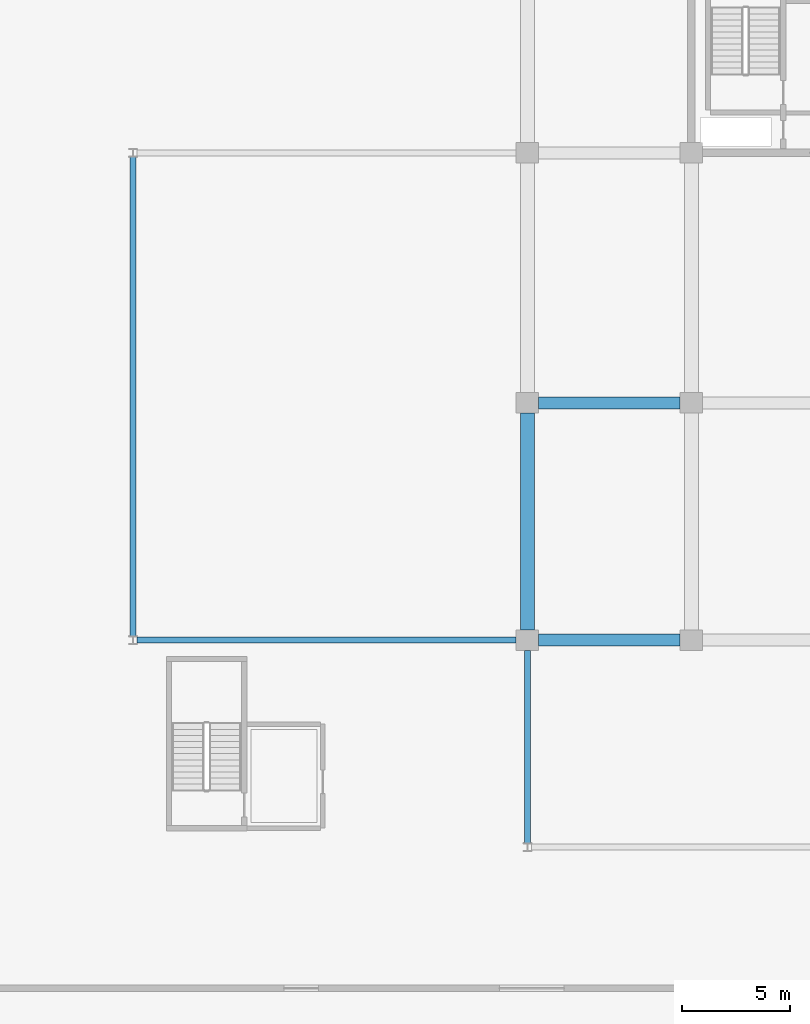
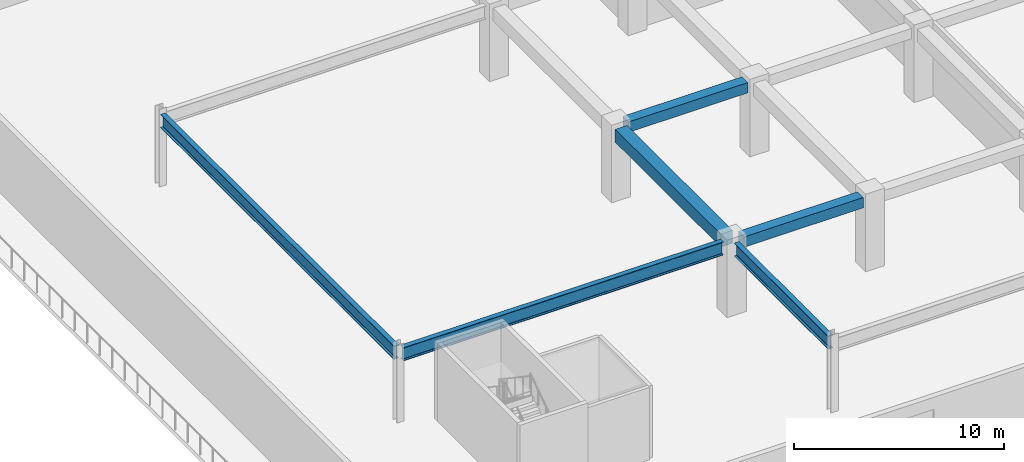
# One storey, part 6 of 43: 6 beams.
"""IFC4 building model written with IfcOpenShell, lengths in metres."""

from ifc_helpers import new_model, si_unit, direction, frame, origin, origin_2d, place, context, subcontext, project, spatial, rectangle, i_section, extrude, material, material_profile, profile_set, type_object, element, save


model = new_model("IFC4")

# Units and contexts
model_context = context("Model", 3, precision=1e-05, world=origin(), true_north=direction((0.0, 1.0)))
body_context = subcontext(model_context, "Body", "Model", "MODEL_VIEW")
ifc_project = project(units=[si_unit("LENGTHUNIT", "METRE"), si_unit("AREAUNIT", "SQUARE_METRE"), si_unit("VOLUMEUNIT", "CUBIC_METRE"), si_unit("PLANEANGLEUNIT", "RADIAN"), si_unit("MASSUNIT", "GRAM", prefix="KILO")], contexts=[model_context])

# Site, building, storey
site_placement = place(None, origin())
site = spatial("IfcSite", under=ifc_project, at=site_placement, CompositionType="ELEMENT")
building_placement = place(site_placement, origin())
building = spatial("IfcBuilding", under=site, at=building_placement, Name="Korimba Cascade Residences", CompositionType="ELEMENT")
storey_placement = place(building_placement, frame((0.0, 0.0, 10.0)))
storey = spatial("IfcBuildingStorey", under=building, at=storey_placement, Name="L02", CompositionType="ELEMENT", Elevation=10.0)

# Beams
ifc_material_1 = material(Name="Concrete C50/60", Category="concrete")
ifc_material_profile_1 = material_profile(ifc_material_1, rectangle(XDim=0.550048828125, YDim=0.60009765625, at=origin_2d()), Name="Concrete C50/60")
ifc_profile_set_1 = profile_set([ifc_material_profile_1], Name="Concrete C50/60")
beam_type_1 = type_object("IfcBeamType", Name="BM-RC-B600", PredefinedType="BEAM", material=ifc_profile_set_1)
for number, where, z_axis, x_axis, name in (
    (1, (75.02490234375, -4.199951171875, 3.89990234375), (1.0, 0.0, 0.0), (0.0, 1.0, 0.0), "L02 T2 E-W Girder Y1 Bay 1"),
    (2, (75.02490234375, 6.800048828125, 3.89990234375), (1.0, 0.0, 0.0), (0.0, 1.0, 0.0), "L02 T2 E-W Girder Y2 Bay 1"),
):
    element("IfcBeam", number, at=place(storey_placement, frame(where, z_axis=z_axis, x_axis=x_axis)), inside=storey, type_object=beam_type_1, Name=name, PredefinedType="BEAM", context=body_context, shape_type="SweptSolid", body=[
        extrude(rectangle(XDim=0.550048828125, YDim=0.60009765625, at=origin_2d()), origin(), (0.0, 0.0, 1.0), 6.550048828125),
    ])
ifc_material_profile_2 = material_profile(ifc_material_1, rectangle(XDim=0.64990234375, YDim=0.75, at=origin_2d()), Name="Concrete C50/60")
ifc_profile_set_2 = profile_set([ifc_material_profile_2], Name="Concrete C50/60")
beam_type_2 = type_object("IfcBeamType", Name="BM-RC-G750", PredefinedType="BEAM", material=ifc_profile_set_2)
beam_1_placement = place(storey_placement, frame((74.5, -3.72509765625, 3.824951171875), z_axis=(0.0, 1.0, 0.0), x_axis=(-1.0, 0.0, 0.0)))
element("IfcBeam", 3, at=beam_1_placement, inside=storey, type_object=beam_type_2, Name="L02 T2 N-S Girder X1 Seg 1", PredefinedType="BEAM", context=body_context, shape_type="SweptSolid", body=[
    extrude(rectangle(XDim=0.64990234375, YDim=0.75, at=origin_2d()), origin(), (0.0, 0.0, 1.0), 10.050048828125),
])
ifc_material_2 = material(Name="Steel S355", Category="steel")
ifc_material_profile_3 = material_profile(ifc_material_2, i_section(OverallWidth=0.26806640625, OverallDepth=0.769775390625, WebThickness=0.015625, FlangeThickness=0.025390625, FilletRadius=0.0166015625, at=origin_2d()), Name="Steel S355")
ifc_profile_set_3 = profile_set([ifc_material_profile_3], Name="Steel S355")
beam_type_3 = type_object("IfcBeamType", Name="BM-STL-UB762", PredefinedType="BEAM", material=ifc_profile_set_3)
beam_2_placement = place(storey_placement, frame((56.3994140625, -4.199951171875, 3.815185546875), z_axis=(1.0, 0.0, 0.0), x_axis=(0.0, 1.0, 0.0)))
element("IfcBeam", 4, at=beam_2_placement, inside=storey, type_object=beam_type_3, Name="L02 Podium Frame Girder W1", PredefinedType="BEAM", context=body_context, shape_type="SweptSolid", body=[
    extrude(i_section(OverallWidth=0.26806640625, OverallDepth=0.769775390625, WebThickness=0.015625, FlangeThickness=0.025390625, FilletRadius=0.0166015625, at=origin_2d()), origin(), (0.0, 0.0, 1.0), 17.57568359375),
])
beam_3_placement = place(storey_placement, frame((56.199951171875, -4.003173828125, 3.815185546875), z_axis=(0.0, 1.0, 0.0), x_axis=(-1.0, 0.0, 0.0)))
element("IfcBeam", 5, at=beam_3_placement, inside=storey, type_object=beam_type_3, Name="L02 Podium Frame Girder WN", PredefinedType="BEAM", context=body_context, shape_type="SweptSolid", body=[
    extrude(i_section(OverallWidth=0.26806640625, OverallDepth=0.769775390625, WebThickness=0.015625, FlangeThickness=0.025390625, FilletRadius=0.0166015625, at=origin_2d()), origin(), (0.0, 0.0, 1.0), 22.206298828125),
])
beam_4_placement = place(storey_placement, frame((74.5, -13.603271484375, 3.815185546875), z_axis=(0.0, 1.0, 0.0), x_axis=(-1.0, 0.0, 0.0)))
element("IfcBeam", 6, at=beam_4_placement, inside=storey, type_object=beam_type_3, Name="L02 Podium Frame Girder S1", PredefinedType="BEAM", context=body_context, shape_type="SweptSolid", body=[
    extrude(i_section(OverallWidth=0.26806640625, OverallDepth=0.769775390625, WebThickness=0.015625, FlangeThickness=0.025390625, FilletRadius=0.0166015625, at=origin_2d()), origin(), (0.0, 0.0, 1.0), 8.92822265625),
])

save(model, "model.ifc")
